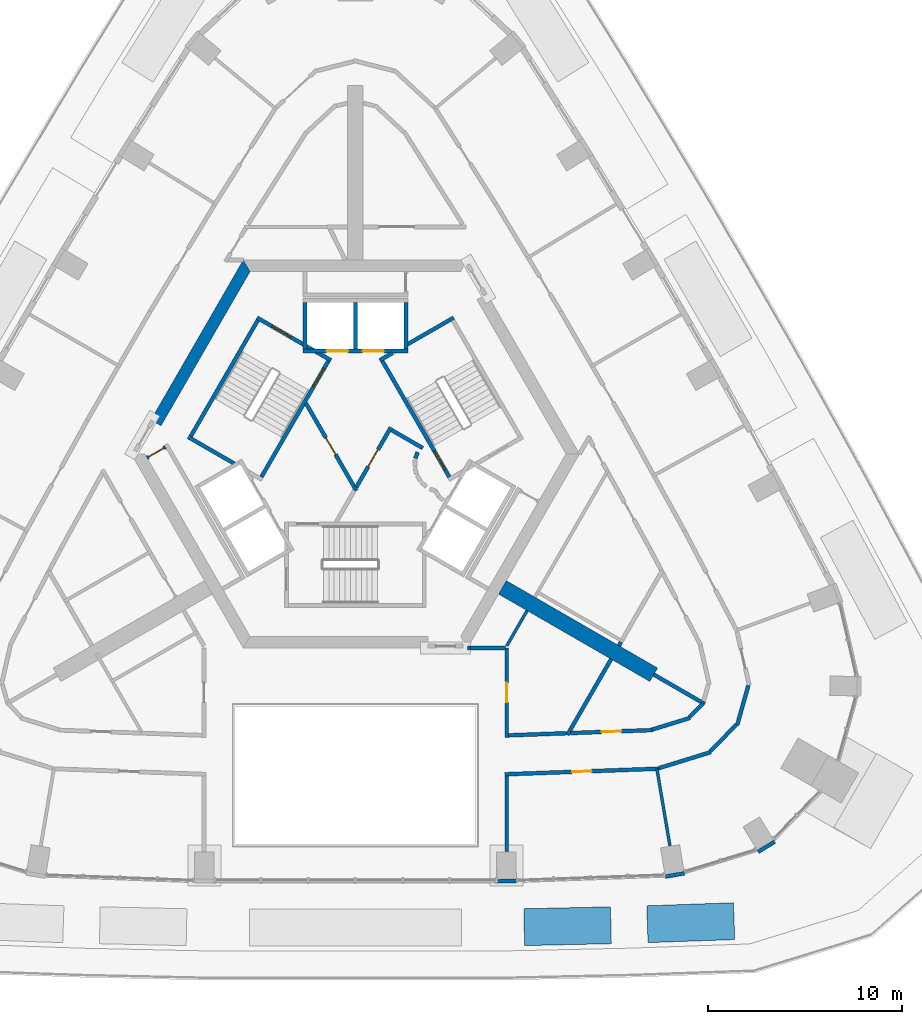
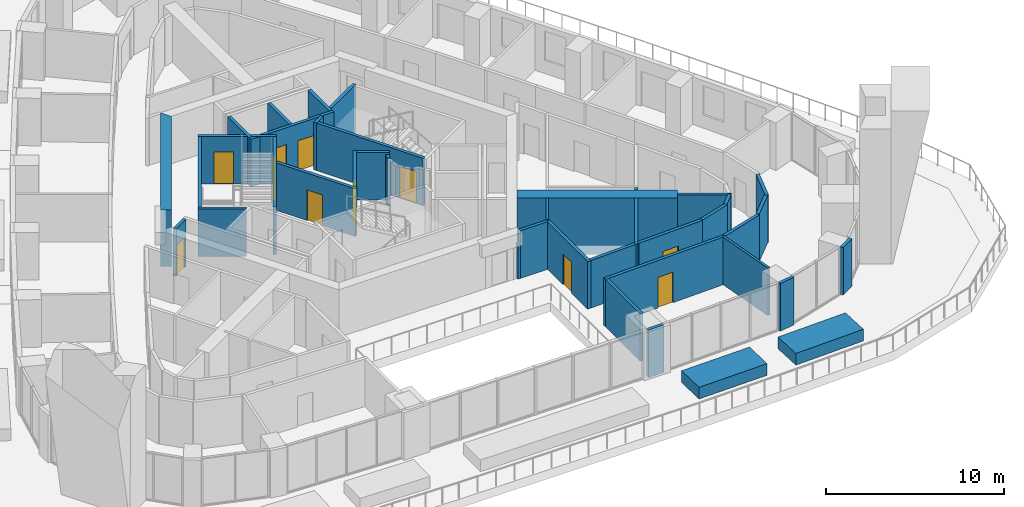
# One storey, part 7 of 14: 40 walls, 11 doors, 11 openings.
"""IFC4 building model written with IfcOpenShell, lengths in metres."""

from ifc_helpers import new_model, si_unit, direction, frame, frame_2d, origin, place, context, subcontext, project, spatial, polyline, rectangle, outline, extrude, material, layer, layer_set, type_object, element, fill, save


model = new_model("IFC4")

# Units and contexts
model_context = context("Model", 3, precision=1e-05, world=origin(), true_north=direction((0.0, 1.0)))
body_context = subcontext(model_context, "Body", "Model", "MODEL_VIEW")
ifc_project = project(units=[si_unit("LENGTHUNIT", "METRE"), si_unit("AREAUNIT", "SQUARE_METRE"), si_unit("VOLUMEUNIT", "CUBIC_METRE"), si_unit("PLANEANGLEUNIT", "RADIAN"), si_unit("MASSUNIT", "GRAM", prefix="KILO")], contexts=[model_context])

# Site, building, storey
site_placement = place(None, origin())
site = spatial("IfcSite", under=ifc_project, at=site_placement, CompositionType="ELEMENT")
building_placement = place(site_placement, origin())
building = spatial("IfcBuilding", under=site, at=building_placement, Name="Entoto Arch Interchange Tower", CompositionType="ELEMENT")
storey_placement = place(building_placement, frame((0.0, 0.0, 241.39990234375)))
storey = spatial("IfcBuildingStorey", under=building, at=storey_placement, Name="L54", CompositionType="ELEMENT", Elevation=241.39990234375)

# Walls
ifc_material_1 = material(Name="Concrete C40/50", Category="concrete")
ifc_layer_1 = layer(ifc_material_1, 0.800048828125)
ifc_layer_set_1 = layer_set([ifc_layer_1], Name="Concrete C40/50")
wall_type_1 = type_object("IfcWallType", Name="Buttress wall 800 C40/50", PredefinedType="SHEAR", material=ifc_layer_set_1)
wall_1_placement = place(storey_placement, frame((7.577880859375, -4.375, -0.599853515625), z_axis=(0.0, 0.0, 1.0), x_axis=(0.866024315419, -0.5000018851, 0.0)))
element("IfcWall", 1, at=wall_1_placement, inside=storey, type_object=wall_type_1, Name="Buttress wall SE L54", PredefinedType="SHEAR", context=body_context, shape_type="SweptSolid", body=[
    extrude(rectangle(XDim=9.0, YDim=0.800048828125, at=frame_2d((4.5, 0.0))), origin(), (0.0, 0.0, 1.0), 3.85986328125),
])
ifc_layer_2 = layer(ifc_material_1, 0.60009765625)
ifc_layer_set_2 = layer_set([ifc_layer_2], Name="Concrete C40/50")
wall_type_2 = type_object("IfcWallType", Name="Core wall 600 C40/50", PredefinedType="SHEAR", material=ifc_layer_set_2)
wall_2_placement = place(storey_placement, frame((0.0, 0.0, -0.599853515625)))
element("IfcWall", 2, at=wall_2_placement, inside=storey, type_object=wall_type_2, Name="Core wall NW L54", PredefinedType="SHEAR", context=body_context, shape_type="SweptSolid", body=[
    extrude(outline(polyline([(-10.534912109375, 4.2529296875), (-10.014892578125, 3.952880859375), (-5.427001953125, 11.89990234375), (-5.77392578125, 12.5), (-10.534912109375, 4.2529296875)])), origin(), (0.0, 0.0, 1.0), 3.85986328125),
])

# Wall, openings, doors
ifc_layer_3 = layer(ifc_material_1, 0.199951171875)
ifc_layer_set_3 = layer_set([ifc_layer_3], Name="Concrete C40/50")
wall_type_3 = type_object("IfcWallType", Name="LIFT SHAFT WALL 200", PredefinedType="STANDARD", material=ifc_layer_set_3)
wall_3_placement = place(storey_placement, frame((2.699951171875, 7.800048828125, 0.0), z_axis=(0.0, 0.0, 1.0), x_axis=(-1.0, 0.0, 0.0)))
wall_3 = element("IfcWall", 3, at=wall_3_placement, inside=storey, type_object=wall_type_3, Name="Shaft wall N1 front", PredefinedType="STANDARD", context=body_context, shape_type="SweptSolid", body=[
    extrude(rectangle(XDim=5.39990234375, YDim=0.199951171875, at=frame_2d((2.699951171875, 0.0))), origin(), (0.0, 0.0, 1.0), 3.260009765625),
])
opening_1_placement = place(wall_3_placement, frame((1.22509765625, 0.0, 0.0)))
opening_1 = element("IfcOpeningElement", 4, at=opening_1_placement, cuts=wall_3, Name="Opening LD-HR1-L54", PredefinedType="OPENING", context=body_context, shape_type="SweptSolid", body=[
    extrude(rectangle(XDim=1.10009765625, YDim=2.10009765625, at=frame_2d((0.550048828125, 1.050048828125))), frame((0.0, 0.10986328125, 0.0), z_axis=(0.0, -1.0, 0.0), x_axis=(1.0, 0.0, 0.0)), (0.0, 0.0, 1.0), 0.219970703125),
])
opening_2_placement = place(wall_3_placement, frame((3.074951171875, 0.0, 0.0)))
opening_2 = element("IfcOpeningElement", 5, at=opening_2_placement, cuts=wall_3, Name="Opening LD-HR2-L54", PredefinedType="OPENING", context=body_context, shape_type="SweptSolid", body=[
    extrude(rectangle(XDim=1.10009765625, YDim=2.10009765625, at=frame_2d((0.550048828125, 1.050048828125))), frame((0.0, 0.10986328125, 0.0), z_axis=(0.0, -1.0, 0.0), x_axis=(1.0, 0.0, 0.0)), (0.0, 0.0, 1.0), 0.219970703125),
])
ifc_material_2 = material(Name="Stainless steel 1.4301 panels", Category="steel")
door_type_1 = type_object("IfcDoorType", Name="LIFT LANDING DOOR LD1 1100x2100", OperationType="SLIDING_TO_LEFT", PredefinedType="DOOR", material=ifc_material_2)
door_1_placement = place(opening_1_placement, origin())
door_1 = element("IfcDoor", 6, at=door_1_placement, inside=storey, type_object=door_type_1, Name="Lift landing door HR1 L54", OperationType="SLIDING_TO_LEFT", OverallHeight=2.10009765625, OverallWidth=1.10009765625, PredefinedType="DOOR", context=body_context, shape_type="SweptSolid", body=[
    extrude(rectangle(XDim=1.10009765625, YDim=2.10009765625, at=frame_2d((0.550048828125, 1.050048828125))), frame((0.0, 0.02490234375, 0.0), z_axis=(0.0, -1.0, 0.0), x_axis=(1.0, 0.0, 0.0)), (0.0, 0.0, 1.0), 0.050048828125),
])
fill(opening_1, door_1)
door_2_placement = place(opening_2_placement, origin())
door_2 = element("IfcDoor", 7, at=door_2_placement, inside=storey, type_object=door_type_1, Name="Lift landing door HR2 L54", OperationType="SLIDING_TO_LEFT", OverallHeight=2.10009765625, OverallWidth=1.10009765625, PredefinedType="DOOR", context=body_context, shape_type="SweptSolid", body=[
    extrude(rectangle(XDim=1.10009765625, YDim=2.10009765625, at=frame_2d((0.550048828125, 1.050048828125))), frame((0.0, 0.02490234375, 0.0), z_axis=(0.0, -1.0, 0.0), x_axis=(1.0, 0.0, 0.0)), (0.0, 0.0, 1.0), 0.050048828125),
])
fill(opening_2, door_2)

# Walls
for number, where, z_axis, x_axis, name in (
    (8, (2.60009765625, 7.89990234375, 0.0), (0.0, 0.0, 1.0), (0.0, 1.0, 0.0), "Shaft wall N1 cross 1"),
    (9, (0.0, 7.89990234375, 0.0), (0.0, 0.0, 1.0), (0.0, 1.0, 0.0), "Shaft wall N1 cross 2"),
    (10, (-2.60009765625, 7.89990234375, 0.0), (0.0, 0.0, 1.0), (0.0, 1.0, 0.0), "Shaft wall N1 cross 3"),
):
    element("IfcWall", number, at=place(storey_placement, frame(where, z_axis=z_axis, x_axis=x_axis)), inside=storey, type_object=wall_type_3, Name=name, PredefinedType="STANDARD", context=body_context, shape_type="SweptSolid", body=[
        extrude(rectangle(XDim=2.400146484375, YDim=0.199951171875, at=frame_2d((1.2001953125, 0.0))), origin(), (0.0, 0.0, 1.0), 3.260009765625),
    ])
ifc_material_3 = material(Name="Gypsum board partition on steel studs", Category="steel")
ifc_layer_4 = layer(ifc_material_3, 0.14990234375)
ifc_layer_set_4 = layer_set([ifc_layer_4], Name="Gypsum board partition on steel studs")
wall_type_4 = type_object("IfcWallType", Name="PARTITION 150", PredefinedType="PARTITIONING", material=ifc_layer_set_4)
wall_4_placement = place(storey_placement, frame((7.800048828125, -7.389892578125, 0.0), z_axis=(0.0, 0.0, 1.0), x_axis=(0.499977374825, 0.866038466041, 0.0)))
element("IfcWall", 11, at=wall_4_placement, inside=storey, type_object=wall_type_4, Name="wall:L54:p073", PredefinedType="PARTITIONING", context=body_context, shape_type="SweptSolid", body=[
    extrude(rectangle(XDim=2.10009765625, YDim=0.14990234375, at=frame_2d((1.050048828125, 0.0))), origin(), (0.0, 0.0, 1.0), 3.260009765625),
])
wall_5_placement = place(storey_placement, frame((15.537109375, -13.721923828125, 0.0), z_axis=(0.0, 0.0, 1.0), x_axis=(0.167012380144, -0.985954798598, 0.0)))
element("IfcWall", 12, at=wall_5_placement, inside=storey, type_object=wall_type_4, Name="wall:L54:p103", PredefinedType="PARTITIONING", context=body_context, shape_type="SweptSolid", body=[
    extrude(rectangle(XDim=4.02880859375, YDim=0.14990234375, at=frame_2d((2.014404296875, 0.0))), origin(), (0.0, 0.0, 1.0), 3.260009765625),
])
ifc_layer_5 = layer(ifc_material_3, 0.199951171875)
ifc_layer_set_5 = layer_set([ifc_layer_5], Name="Gypsum board partition on steel studs")
wall_type_5 = type_object("IfcWallType", Name="PARTITION 200", PredefinedType="PARTITIONING", material=ifc_layer_set_5)
wall_6_placement = place(storey_placement, frame((7.89990234375, -11.9990234375, 0.0), z_axis=(0.0, 0.0, 1.0), x_axis=(0.999343711998, 0.036223546064, 0.0)))
element("IfcWall", 13, at=wall_6_placement, inside=storey, type_object=wall_type_5, Name="wall:L54:p013", PredefinedType="PARTITIONING", context=body_context, shape_type="SweptSolid", body=[
    extrude(rectangle(XDim=2.97900390625, YDim=0.199951171875, at=frame_2d((1.489501953125, 0.0))), origin(), (0.0, 0.0, 1.0), 3.260009765625),
])

# Wall, opening, door
wall_7_placement = place(storey_placement, frame((11.076904296875, -11.883056640625, 0.0), z_axis=(0.0, 0.0, 1.0), x_axis=(0.999335333519, 0.036453959732, 0.0)))
wall_7 = element("IfcWall", 14, at=wall_7_placement, inside=storey, type_object=wall_type_5, Name="wall:L54:p016", PredefinedType="PARTITIONING", context=body_context, shape_type="SweptSolid", body=[
    extrude(rectangle(XDim=4.22607421875, YDim=0.199951171875, at=frame_2d((2.113037109375, 0.0))), origin(), (0.0, 0.0, 1.0), 3.260009765625),
])
opening_3_placement = place(wall_7_placement, frame((1.613037109375, 0.0, 0.0)))
opening_3 = element("IfcOpeningElement", 15, at=opening_3_placement, cuts=wall_7, Name="Opening L54-D16", PredefinedType="OPENING", context=body_context, shape_type="SweptSolid", body=[
    extrude(rectangle(XDim=1.0, YDim=2.10009765625, at=frame_2d((0.5, 1.050048828125))), frame((0.0, 0.10986328125, 0.0), z_axis=(0.0, -1.0, 0.0), x_axis=(1.0, 0.0, 0.0)), (0.0, 0.0, 1.0), 0.219970703125),
])
ifc_material_4 = material(Name="Timber door leaf in Steel S235 frame", Category="steel")
door_type_2 = type_object("IfcDoorType", Name="DOOR DS-10 1000x2100", OperationType="SINGLE_SWING_LEFT", PredefinedType="DOOR", material=ifc_material_4)
door_3_placement = place(opening_3_placement, origin())
door_3 = element("IfcDoor", 16, at=door_3_placement, inside=storey, type_object=door_type_2, Name="door:L54:16", OperationType="SINGLE_SWING_LEFT", OverallHeight=2.10009765625, OverallWidth=1.0, PredefinedType="DOOR", context=body_context, shape_type="SweptSolid", body=[
    extrude(rectangle(XDim=1.0, YDim=2.10009765625, at=frame_2d((0.5, 1.050048828125))), frame((0.0, 0.02490234375, 0.0), z_axis=(0.0, -1.0, 0.0), x_axis=(1.0, 0.0, 0.0)), (0.0, 0.0, 1.0), 0.050048828125),
])
fill(opening_3, door_3)

# Walls
wall_8_placement = place(storey_placement, frame((15.294921875, -11.702880859375, 0.0), z_axis=(0.0, 0.0, 1.0), x_axis=(0.95563113363, 0.294566013716, 0.0)))
element("IfcWall", 17, at=wall_8_placement, inside=storey, type_object=wall_type_5, Name="wall:L54:p017", PredefinedType="PARTITIONING", context=body_context, shape_type="SweptSolid", body=[
    extrude(rectangle(XDim=2.036376953125, YDim=0.199951171875, at=frame_2d((1.01806640625, 0.0))), origin(), (0.0, 0.0, 1.0), 3.260009765625),
])
wall_9_placement = place(storey_placement, frame((17.215087890625, -11.06103515625, 0.0), z_axis=(0.0, 0.0, 1.0), x_axis=(0.698527813511, 0.715582904877, 0.0)))
element("IfcWall", 18, at=wall_9_placement, inside=storey, type_object=wall_type_5, Name="wall:L54:p018", PredefinedType="PARTITIONING", context=body_context, shape_type="SweptSolid", body=[
    extrude(rectangle(XDim=1.001953125, YDim=0.199951171875, at=frame_2d((0.5009765625, 0.0))), origin(), (0.0, 0.0, 1.0), 3.260009765625),
])

# Wall, opening, door
wall_10_placement = place(storey_placement, frame((15.635986328125, -13.718017578125, 0.0), z_axis=(0.0, 0.0, 1.0), x_axis=(-0.99933282306, -0.036522715615, 0.0)))
wall_10 = element("IfcWall", 19, at=wall_10_placement, inside=storey, type_object=wall_type_5, Name="wall:L54:p034", PredefinedType="PARTITIONING", context=body_context, shape_type="SweptSolid", body=[
    extrude(rectangle(XDim=7.94140625, YDim=0.199951171875, at=frame_2d((3.970703125, 0.0))), origin(), (0.0, 0.0, 1.0), 3.260009765625),
])
opening_4_placement = place(wall_10_placement, frame((3.470947265625, 0.0, 0.0)))
opening_4 = element("IfcOpeningElement", 20, at=opening_4_placement, cuts=wall_10, Name="Opening L54-D01", PredefinedType="OPENING", context=body_context, shape_type="SweptSolid", body=[
    extrude(rectangle(XDim=1.0, YDim=2.10009765625, at=frame_2d((0.5, 1.050048828125))), frame((0.0, 0.10986328125, 0.0), z_axis=(0.0, -1.0, 0.0), x_axis=(1.0, 0.0, 0.0)), (0.0, 0.0, 1.0), 0.219970703125),
])
door_4_placement = place(opening_4_placement, origin())
door_4 = element("IfcDoor", 21, at=door_4_placement, inside=storey, type_object=door_type_2, Name="door:L54:01", OperationType="SINGLE_SWING_RIGHT", OverallHeight=2.10009765625, OverallWidth=1.0, PredefinedType="DOOR", context=body_context, shape_type="SweptSolid", body=[
    extrude(rectangle(XDim=1.0, YDim=2.10009765625, at=frame_2d((0.5, 1.050048828125))), frame((0.0, 0.02490234375, 0.0), z_axis=(0.0, -1.0, 0.0), x_axis=(1.0, 0.0, 0.0)), (0.0, 0.0, 1.0), 0.050048828125),
])
fill(opening_4, door_4)

# Walls
wall_11_placement = place(storey_placement, frame((20.25, -9.428955078125, 0.0), z_axis=(0.0, 0.0, 1.0), x_axis=(-0.270905475888, -0.962605954238, 0.0)))
element("IfcWall", 22, at=wall_11_placement, inside=storey, type_object=wall_type_5, Name="wall:L54:p036", PredefinedType="PARTITIONING", context=body_context, shape_type="SweptSolid", body=[
    extrude(rectangle(XDim=2.122314453125, YDim=0.199951171875, at=frame_2d((1.06103515625, 0.0))), origin(), (0.0, 0.0, 1.0), 3.260009765625),
])
wall_12_placement = place(storey_placement, frame((19.633056640625, -11.447021484375, 0.0), z_axis=(0.0, 0.0, 1.0), x_axis=(-0.698477855606, -0.715631668687, 0.0)))
element("IfcWall", 23, at=wall_12_placement, inside=storey, type_object=wall_type_5, Name="wall:L54:p037", PredefinedType="PARTITIONING", context=body_context, shape_type="SweptSolid", body=[
    extrude(rectangle(XDim=1.92138671875, YDim=0.199951171875, at=frame_2d((0.960693359375, 0.0))), origin(), (0.0, 0.0, 1.0), 3.260009765625),
])
wall_13_placement = place(storey_placement, frame((18.31689453125, -12.864013671875, 0.0), z_axis=(0.0, 0.0, 1.0), x_axis=(-0.955600342663, -0.294665887239, 0.0)))
element("IfcWall", 24, at=wall_13_placement, inside=storey, type_object=wall_type_5, Name="wall:L54:p038", PredefinedType="PARTITIONING", context=body_context, shape_type="SweptSolid", body=[
    extrude(rectangle(XDim=2.8095703125, YDim=0.199951171875, at=frame_2d((1.40478515625, 0.0))), origin(), (0.0, 0.0, 1.0), 3.260009765625),
])

# Wall, opening, door
wall_14_placement = place(storey_placement, frame((-10.740966796875, 2.302978515625, 0.0), z_axis=(0.0, 0.0, 1.0), x_axis=(0.866063652425, 0.499933745558, 0.0)))
wall_14 = element("IfcWall", 25, at=wall_14_placement, inside=storey, type_object=wall_type_5, Name="wall:L54:p069", PredefinedType="PARTITIONING", context=body_context, shape_type="SweptSolid", body=[
    extrude(rectangle(XDim=1.100341796875, YDim=0.199951171875, at=frame_2d((0.55029296875, 0.0))), origin(), (0.0, 0.0, 1.0), 3.260009765625),
])
opening_5_placement = place(wall_14_placement, frame((0.10009765625, 0.0, 0.0)))
opening_5 = element("IfcOpeningElement", 26, at=opening_5_placement, cuts=wall_14, Name="Opening L54-D30", PredefinedType="OPENING", context=body_context, shape_type="SweptSolid", body=[
    extrude(rectangle(XDim=0.89990234375, YDim=2.10009765625, at=frame_2d((0.449951171875, 1.050048828125))), frame((0.0, 0.10986328125, 0.0), z_axis=(0.0, -1.0, 0.0), x_axis=(1.0, 0.0, 0.0)), (0.0, 0.0, 1.0), 0.219970703125),
])
door_type_3 = type_object("IfcDoorType", Name="DOOR DS-09 900x2100", OperationType="SINGLE_SWING_LEFT", PredefinedType="DOOR", material=ifc_material_4)
door_5_placement = place(opening_5_placement, origin())
door_5 = element("IfcDoor", 27, at=door_5_placement, inside=storey, type_object=door_type_3, Name="door:L54:30", OperationType="SINGLE_SWING_RIGHT", OverallHeight=2.10009765625, OverallWidth=0.89990234375, PredefinedType="DOOR", context=body_context, shape_type="SweptSolid", body=[
    extrude(rectangle(XDim=0.89990234375, YDim=2.10009765625, at=frame_2d((0.449951171875, 1.050048828125))), frame((0.0, 0.02490234375, 0.0), z_axis=(0.0, -1.0, 0.0), x_axis=(1.0, 0.0, 0.0)), (0.0, 0.0, 1.0), 0.050048828125),
])
fill(opening_5, door_5)

# Wall
wall_15_placement = place(storey_placement, frame((5.77490234375, -7.4990234375, 0.0), z_axis=(0.0, 0.0, 1.0), x_axis=(1.0, 0.0, 0.0)))
element("IfcWall", 28, at=wall_15_placement, inside=storey, type_object=wall_type_5, Name="wall:L54:p072", PredefinedType="PARTITIONING", context=body_context, shape_type="SweptSolid", body=[
    extrude(rectangle(XDim=0.169189453125, YDim=0.199951171875, at=frame_2d((0.08447265625, 0.0))), origin(), (0.0, 0.0, 1.0), 2.400146484375),
])

# Wall, opening, door
wall_16_placement = place(storey_placement, frame((0.050048828125, 0.787109375, 0.0), z_axis=(0.0, 0.0, 1.0), x_axis=(0.499954076797, 0.866051915934, 0.0)))
wall_16 = element("IfcWall", 29, at=wall_16_placement, inside=storey, type_object=wall_type_5, Name="wall:L54:p076", PredefinedType="PARTITIONING", context=body_context, shape_type="SweptSolid", body=[
    extrude(rectangle(XDim=3.558349609375, YDim=0.199951171875, at=frame_2d((1.779296875, 0.0))), origin(), (0.0, 0.0, 1.0), 3.260009765625),
])
opening_6_placement = place(wall_16_placement, frame((1.22900390625, 0.0, 0.0)))
opening_6 = element("IfcOpeningElement", 30, at=opening_6_placement, cuts=wall_16, Name="Opening L54-D26", PredefinedType="OPENING", context=body_context, shape_type="SweptSolid", body=[
    extrude(rectangle(XDim=1.0, YDim=2.10009765625, at=frame_2d((0.5, 1.050048828125))), frame((0.0, 0.10986328125, 0.0), z_axis=(0.0, -1.0, 0.0), x_axis=(1.0, 0.0, 0.0)), (0.0, 0.0, 1.0), 0.219970703125),
])
ifc_material_5 = material(Name="Fire-rated Steel S235 door and frame", Category="steel")
door_type_4 = type_object("IfcDoorType", Name="DOOR FD-10 1000x2100", OperationType="SINGLE_SWING_LEFT", PredefinedType="DOOR", material=ifc_material_5)
door_6_placement = place(opening_6_placement, origin())
door_6 = element("IfcDoor", 31, at=door_6_placement, inside=storey, type_object=door_type_4, Name="door:L54:26", OperationType="SINGLE_SWING_RIGHT", OverallHeight=2.10009765625, OverallWidth=1.0, PredefinedType="DOOR", context=body_context, shape_type="SweptSolid", body=[
    extrude(rectangle(XDim=1.0, YDim=2.10009765625, at=frame_2d((0.5, 1.050048828125))), frame((0.0, 0.02490234375, 0.0), z_axis=(0.0, -1.0, 0.0), x_axis=(1.0, 0.0, 0.0)), (0.0, 0.0, 1.0), 0.050048828125),
])
fill(opening_6, door_6)

# Walls
wall_17_placement = place(storey_placement, frame((1.865966796875, 3.73193359375, 0.0), z_axis=(0.0, 0.0, 1.0), x_axis=(0.866043361281, -0.499968895414, 0.0)))
element("IfcWall", 32, at=wall_17_placement, inside=storey, type_object=wall_type_5, Name="wall:L54:p077", PredefinedType="PARTITIONING", context=body_context, shape_type="SweptSolid", body=[
    extrude(rectangle(XDim=1.85791015625, YDim=0.199951171875, at=frame_2d((0.928955078125, 0.0))), origin(), (0.0, 0.0, 1.0), 3.260009765625),
])
wall_18_placement = place(storey_placement, frame((3.2080078125, 2.592041015625, 0.0), z_axis=(0.0, 0.0, 1.0), x_axis=(-0.337388820924, -0.941365382578, 0.0)))
element("IfcWall", 33, at=wall_18_placement, inside=storey, type_object=wall_type_5, Name="wall:L54:p078", PredefinedType="PARTITIONING", context=body_context, shape_type="SweptSolid", body=[
    extrude(rectangle(XDim=0.337890625, YDim=0.199951171875, at=frame_2d((0.1689453125, 0.0))), origin(), (0.0, 0.0, 1.0), 3.260009765625),
])

# Wall, opening, door
wall_19_placement = place(storey_placement, frame((-2.5400390625, 5.10009765625, 0.0), z_axis=(0.0, 0.0, 1.0), x_axis=(0.499925051871, -0.866068670783, 0.0)))
wall_19 = element("IfcWall", 34, at=wall_19_placement, inside=storey, type_object=wall_type_5, Name="wall:L54:p086", PredefinedType="PARTITIONING", context=body_context, shape_type="SweptSolid", body=[
    extrude(rectangle(XDim=5.180908203125, YDim=0.199951171875, at=frame_2d((2.59033203125, 0.0))), origin(), (0.0, 0.0, 1.0), 3.260009765625),
])
opening_7_placement = place(wall_19_placement, frame((2.0400390625, 0.0, 0.0)))
opening_7 = element("IfcOpeningElement", 35, at=opening_7_placement, cuts=wall_19, Name="Opening L54-D27", PredefinedType="OPENING", context=body_context, shape_type="SweptSolid", body=[
    extrude(rectangle(XDim=1.0, YDim=2.10009765625, at=frame_2d((0.5, 1.050048828125))), frame((0.0, 0.10986328125, 0.0), z_axis=(0.0, -1.0, 0.0), x_axis=(1.0, 0.0, 0.0)), (0.0, 0.0, 1.0), 0.219970703125),
])
door_7_placement = place(opening_7_placement, origin())
door_7 = element("IfcDoor", 36, at=door_7_placement, inside=storey, type_object=door_type_4, Name="door:L54:27", OperationType="SINGLE_SWING_RIGHT", OverallHeight=2.10009765625, OverallWidth=1.0, PredefinedType="DOOR", context=body_context, shape_type="SweptSolid", body=[
    extrude(rectangle(XDim=1.0, YDim=2.10009765625, at=frame_2d((0.5, 1.050048828125))), frame((0.0, 0.02490234375, 0.0), z_axis=(0.0, -1.0, 0.0), x_axis=(1.0, 0.0, 0.0)), (0.0, 0.0, 1.0), 0.050048828125),
])
fill(opening_7, door_7)

wall_20_placement = place(storey_placement, frame((7.800048828125, -7.4990234375, 0.0), z_axis=(0.0, 0.0, 1.0), x_axis=(0.0, -1.0, 0.0)))
wall_20 = element("IfcWall", 37, at=wall_20_placement, inside=storey, type_object=wall_type_5, Name="wall:L54:p087", PredefinedType="PARTITIONING", context=body_context, shape_type="SweptSolid", body=[
    extrude(rectangle(XDim=4.60400390625, YDim=0.199951171875, at=frame_2d((2.302001953125, 0.0))), origin(), (0.0, 0.0, 1.0), 3.260009765625),
])
opening_8_placement = place(wall_20_placement, frame((1.802001953125, 0.0, 0.0)))
opening_8 = element("IfcOpeningElement", 38, at=opening_8_placement, cuts=wall_20, Name="Opening L54-D14", PredefinedType="OPENING", context=body_context, shape_type="SweptSolid", body=[
    extrude(rectangle(XDim=1.0, YDim=2.10009765625, at=frame_2d((0.5, 1.050048828125))), frame((0.0, 0.10986328125, 0.0), z_axis=(0.0, -1.0, 0.0), x_axis=(1.0, 0.0, 0.0)), (0.0, 0.0, 1.0), 0.219970703125),
])
door_8_placement = place(opening_8_placement, origin())
door_8 = element("IfcDoor", 39, at=door_8_placement, inside=storey, type_object=door_type_2, Name="door:L54:14", OperationType="SINGLE_SWING_LEFT", OverallHeight=2.10009765625, OverallWidth=1.0, PredefinedType="DOOR", context=body_context, shape_type="SweptSolid", body=[
    extrude(rectangle(XDim=1.0, YDim=2.10009765625, at=frame_2d((0.5, 1.050048828125))), frame((0.0, 0.02490234375, 0.0), z_axis=(0.0, -1.0, 0.0), x_axis=(1.0, 0.0, 0.0)), (0.0, 0.0, 1.0), 0.050048828125),
])
fill(opening_8, door_8)

# Walls
wall_21_placement = place(storey_placement, frame((7.800048828125, -14.10400390625, 0.0), z_axis=(0.0, 0.0, 1.0), x_axis=(0.0, -1.0, 0.0)))
element("IfcWall", 40, at=wall_21_placement, inside=storey, type_object=wall_type_5, Name="wall:L54:p089", PredefinedType="PARTITIONING", context=body_context, shape_type="SweptSolid", body=[
    extrude(rectangle(XDim=3.884033203125, YDim=0.199951171875, at=frame_2d((1.94189453125, 0.0))), origin(), (0.0, 0.0, 1.0), 3.260009765625),
])
wall_22_placement = place(storey_placement, frame((13.179931640625, -8.071044921875, 0.0), z_axis=(0.0, 0.0, 1.0), x_axis=(-0.499914724673, -0.86607463192, 0.0)))
element("IfcWall", 41, at=wall_22_placement, inside=storey, type_object=wall_type_5, Name="wall:L54:p092", PredefinedType="PARTITIONING", context=body_context, shape_type="SweptSolid", body=[
    extrude(rectangle(XDim=4.506591796875, YDim=0.199951171875, at=frame_2d((2.25341796875, 0.0))), origin(), (0.0, 0.0, 1.0), 3.260009765625),
])
wall_23_placement = place(storey_placement, frame((13.68798828125, -7.19189453125, 0.0), z_axis=(0.0, 0.0, 1.0), x_axis=(-0.499787711288, -0.866147934042, 0.0)))
element("IfcWall", 42, at=wall_23_placement, inside=storey, type_object=wall_type_5, Name="wall:L54:p093", PredefinedType="PARTITIONING", context=body_context, shape_type="SweptSolid", body=[
    extrude(rectangle(XDim=0.2158203125, YDim=0.199951171875, at=frame_2d((0.10791015625, 0.0))), origin(), (0.0, 0.0, 1.0), 3.260009765625),
])
wall_24_placement = place(storey_placement, frame((15.376953125, -8.866943359375, 0.0), z_axis=(0.0, 0.0, 1.0), x_axis=(0.865965767548, -0.500103278768, 0.0)))
element("IfcWall", 43, at=wall_24_placement, inside=storey, type_object=wall_type_5, Name="wall:L54:p095", PredefinedType="PARTITIONING", context=body_context, shape_type="SweptSolid", body=[
    extrude(rectangle(XDim=3.033447265625, YDim=0.199951171875, at=frame_2d((1.5166015625, 0.0))), origin(), (0.0, 0.0, 1.0), 3.260009765625),
])
wall_25_placement = place(storey_placement, frame((5.944091796875, -7.4990234375, 0.0), z_axis=(0.0, 0.0, 1.0), x_axis=(1.0, 0.0, 0.0)))
element("IfcWall", 44, at=wall_25_placement, inside=storey, type_object=wall_type_5, Name="wall:L54:p072", PredefinedType="PARTITIONING", context=body_context, shape_type="SweptSolid", body=[
    extrude(rectangle(XDim=1.79296875, YDim=0.199951171875, at=frame_2d((0.896484375, 0.0))), origin(), (0.0, 0.0, 1.0), 3.260009765625),
])
ifc_material_6 = material(Name="Board-marked precast concrete C50/60", Category="concrete")
ifc_layer_6 = layer(ifc_material_6, 1.89990234375)
ifc_layer_set_6 = layer_set([ifc_layer_6], Name="Board-marked precast concrete C50/60")
wall_type_6 = type_object("IfcWallType", Name="PLANTER RC 1900 Afrocarpus falcatus", PredefinedType="STANDARD", material=ifc_layer_set_6)
wall_26_placement = place(storey_placement, frame((15.048095703125, -21.73193359375, 0.0), z_axis=(0.0, 0.0, 1.0), x_axis=(0.999375658716, 0.035331186885, 0.0)))
element("IfcWall", 45, at=wall_26_placement, inside=storey, type_object=wall_type_6, Name="Terrace planter S-05 L54", PredefinedType="STANDARD", context=body_context, shape_type="SweptSolid", body=[
    extrude(rectangle(XDim=4.470703125, YDim=1.89990234375, at=frame_2d((2.2353515625, 0.0))), origin(), (0.0, 0.0, 1.0), 0.800048828125),
])
ifc_layer_7 = layer(ifc_material_6, 1.89990234375)
ifc_layer_set_7 = layer_set([ifc_layer_7], Name="Board-marked precast concrete C50/60")
wall_type_7 = type_object("IfcWallType", Name="PLANTER RC 1900 Juniperus procera", PredefinedType="STANDARD", material=ifc_layer_set_7)
wall_27_placement = place(storey_placement, frame((8.697998046875, -21.885009765625, 0.0), z_axis=(0.0, 0.0, 1.0), x_axis=(0.999754120452, 0.022174278771, 0.0)))
element("IfcWall", 46, at=wall_27_placement, inside=storey, type_object=wall_type_7, Name="Terrace planter S-04 L54", PredefinedType="STANDARD", context=body_context, shape_type="SweptSolid", body=[
    extrude(rectangle(XDim=4.47021484375, YDim=1.89990234375, at=frame_2d((2.235107421875, 0.0))), origin(), (0.0, 0.0, 1.0), 0.800048828125),
])
ifc_layer_8 = layer(ifc_material_1, 0.199951171875)
ifc_layer_set_8 = layer_set([ifc_layer_8], Name="Concrete C40/50")
wall_type_8 = type_object("IfcWallType", Name="STAIR ENCLOSURE WALL 200", PredefinedType="STANDARD", material=ifc_layer_set_8)
wall_28_placement = place(storey_placement, frame((2.699951171875, 8.157958984375, 0.0), z_axis=(0.0, 0.0, 1.0), x_axis=(0.86611865017, 0.499838457731, 0.0)))
element("IfcWall", 47, at=wall_28_placement, inside=storey, type_object=wall_type_8, Name="Stair wall ST-NE far", PredefinedType="STANDARD", context=body_context, shape_type="SweptSolid", body=[
    extrude(rectangle(XDim=2.73291015625, YDim=0.199951171875, at=frame_2d((1.366455078125, 0.0))), origin(), (0.0, 0.0, 1.0), 3.260009765625),
])
wall_29_placement = place(storey_placement, frame((1.256103515625, 7.323974609375, 0.0), z_axis=(0.0, 0.0, 1.0), x_axis=(0.865915093549, 0.500191014278, 0.0)))
element("IfcWall", 48, at=wall_29_placement, inside=storey, type_object=wall_type_8, Name="Stair wall ST-NE far return", PredefinedType="STANDARD", context=body_context, shape_type="SweptSolid", body=[
    extrude(rectangle(XDim=0.751708984375, YDim=0.199951171875, at=frame_2d((0.3759765625, 0.0))), origin(), (0.0, 0.0, 1.0), 3.260009765625),
])

# Wall, opening, door
wall_30_placement = place(storey_placement, frame((4.843017578125, 1.31201171875, 0.0), z_axis=(0.0, 0.0, 1.0), x_axis=(-0.499963383562, 0.866046543262, 0.0)))
wall_30 = element("IfcWall", 49, at=wall_30_placement, inside=storey, type_object=wall_type_8, Name="Stair wall ST-NE hall", PredefinedType="STANDARD", context=body_context, shape_type="SweptSolid", body=[
    extrude(rectangle(XDim=6.900390625, YDim=0.199951171875, at=frame_2d((3.4501953125, 0.0))), origin(), (0.0, 0.0, 1.0), 3.260009765625),
])
opening_9_placement = place(wall_30_placement, frame((0.449951171875, 0.0, 0.0)))
opening_9 = element("IfcOpeningElement", 50, at=opening_9_placement, cuts=wall_30, Name="Opening SD-ST-NE-L54", PredefinedType="OPENING", context=body_context, shape_type="SweptSolid", body=[
    extrude(rectangle(XDim=1.10009765625, YDim=2.199951171875, at=frame_2d((0.550048828125, 1.10009765625))), frame((0.0, 0.10986328125, 0.0), z_axis=(0.0, -1.0, 0.0), x_axis=(1.0, 0.0, 0.0)), (0.0, 0.0, 1.0), 0.219970703125),
])
ifc_material_7 = material(Name="Steel S235", Category="steel")
door_type_5 = type_object("IfcDoorType", Name="STAIR DOOR SD1 1100x2200", OperationType="SINGLE_SWING_LEFT", PredefinedType="DOOR", material=ifc_material_7)
door_9_placement = place(opening_9_placement, origin())
door_9 = element("IfcDoor", 51, at=door_9_placement, inside=storey, type_object=door_type_5, Name="Stair door ST-NE L54", OperationType="SINGLE_SWING_LEFT", OverallHeight=2.199951171875, OverallWidth=1.10009765625, PredefinedType="DOOR", context=body_context, shape_type="SweptSolid", body=[
    extrude(rectangle(XDim=1.10009765625, YDim=2.199951171875, at=frame_2d((0.550048828125, 1.10009765625))), frame((0.0, 0.02490234375, 0.0), z_axis=(0.0, -1.0, 0.0), x_axis=(1.0, 0.0, 0.0)), (0.0, 0.0, 1.0), 0.050048828125),
])
fill(opening_9, door_9)

wall_31_placement = place(storey_placement, frame((-1.256103515625, 7.323974609375, 0.0), z_axis=(0.0, 0.0, 1.0), x_axis=(-0.866046073146, 0.499964197906, 0.0)))
wall_31 = element("IfcWall", 52, at=wall_31_placement, inside=storey, type_object=wall_type_8, Name="Stair wall ST-NW near", PredefinedType="STANDARD", context=body_context, shape_type="SweptSolid", body=[
    extrude(rectangle(XDim=4.400146484375, YDim=0.199951171875, at=frame_2d((2.2001953125, 0.0))), origin(), (0.0, 0.0, 1.0), 3.260009765625),
])
opening_10_placement = place(wall_31_placement, frame((2.39990234375, 0.0, 0.0)))
opening_10 = element("IfcOpeningElement", 53, at=opening_10_placement, cuts=wall_31, Name="Opening SD-ST-NW-L54-E", PredefinedType="OPENING", context=body_context, shape_type="SweptSolid", body=[
    extrude(rectangle(XDim=1.10009765625, YDim=2.199951171875, at=frame_2d((0.550048828125, 1.10009765625))), frame((0.0, 0.10986328125, 0.0), z_axis=(0.0, -1.0, 0.0), x_axis=(1.0, 0.0, 0.0)), (0.0, 0.0, 1.0), 0.219970703125),
])
door_10_placement = place(opening_10_placement, origin())
door_10 = element("IfcDoor", 54, at=door_10_placement, inside=storey, type_object=door_type_5, Name="Stair door ST-NW L54 end", OperationType="SINGLE_SWING_LEFT", OverallHeight=2.199951171875, OverallWidth=1.10009765625, PredefinedType="DOOR", context=body_context, shape_type="SweptSolid", body=[
    extrude(rectangle(XDim=1.10009765625, YDim=2.199951171875, at=frame_2d((0.550048828125, 1.10009765625))), frame((0.0, 0.02490234375, 0.0), z_axis=(0.0, -1.0, 0.0), x_axis=(1.0, 0.0, 0.0)), (0.0, 0.0, 1.0), 0.050048828125),
])
fill(opening_10, door_10)

# Wall
wall_32_placement = place(storey_placement, frame((-6.25, 2.010009765625, 0.0), z_axis=(0.0, 0.0, 1.0), x_axis=(-0.86611865017, 0.499838457731, 0.0)))
element("IfcWall", 55, at=wall_32_placement, inside=storey, type_object=wall_type_8, Name="Stair wall ST-NW far", PredefinedType="STANDARD", context=body_context, shape_type="SweptSolid", body=[
    extrude(rectangle(XDim=2.73291015625, YDim=0.199951171875, at=frame_2d((1.366455078125, 0.0))), origin(), (0.0, 0.0, 1.0), 3.260009765625),
])

# Wall, opening, door
wall_33_placement = place(storey_placement, frame((-1.39306640625, 7.2880859375, 0.0), z_axis=(0.0, 0.0, 1.0), x_axis=(-0.499963383562, -0.866046543262, 0.0)))
wall_33 = element("IfcWall", 56, at=wall_33_placement, inside=storey, type_object=wall_type_8, Name="Stair wall ST-NW hall", PredefinedType="STANDARD", context=body_context, shape_type="SweptSolid", body=[
    extrude(rectangle(XDim=6.900390625, YDim=0.199951171875, at=frame_2d((3.4501953125, 0.0))), origin(), (0.0, 0.0, 1.0), 3.260009765625),
])
opening_11_placement = place(wall_33_placement, frame((0.449951171875, 0.0, 0.0)))
opening_11 = element("IfcOpeningElement", 57, at=opening_11_placement, cuts=wall_33, Name="Opening SD-ST-NW-L54", PredefinedType="OPENING", context=body_context, shape_type="SweptSolid", body=[
    extrude(rectangle(XDim=1.10009765625, YDim=2.199951171875, at=frame_2d((0.550048828125, 1.10009765625))), frame((0.0, 0.10986328125, 0.0), z_axis=(0.0, -1.0, 0.0), x_axis=(1.0, 0.0, 0.0)), (0.0, 0.0, 1.0), 0.219970703125),
])
door_11_placement = place(opening_11_placement, origin())
door_11 = element("IfcDoor", 58, at=door_11_placement, inside=storey, type_object=door_type_5, Name="Stair door ST-NW L54", OperationType="SINGLE_SWING_LEFT", OverallHeight=2.199951171875, OverallWidth=1.10009765625, PredefinedType="DOOR", context=body_context, shape_type="SweptSolid", body=[
    extrude(rectangle(XDim=1.10009765625, YDim=2.199951171875, at=frame_2d((0.550048828125, 1.10009765625))), frame((0.0, 0.02490234375, 0.0), z_axis=(0.0, -1.0, 0.0), x_axis=(1.0, 0.0, 0.0)), (0.0, 0.0, 1.0), 0.050048828125),
])
fill(opening_11, door_11)

# Walls
wall_34_placement = place(storey_placement, frame((-5.030029296875, 9.387939453125, 0.0), z_axis=(0.0, 0.0, 1.0), x_axis=(-0.499978703459, -0.866037698999, 0.0)))
element("IfcWall", 59, at=wall_34_placement, inside=storey, type_object=wall_type_8, Name="Stair wall ST-NW back", PredefinedType="STANDARD", context=body_context, shape_type="SweptSolid", body=[
    extrude(rectangle(XDim=6.900146484375, YDim=0.199951171875, at=frame_2d((3.4501953125, 0.0))), origin(), (0.0, 0.0, 1.0), 3.260009765625),
])
ifc_material_8 = material(Name="Welded tuff (ignimbrite) cladding, warm buff", Category="masonry")
ifc_layer_9 = layer(ifc_material_8, 0.199951171875)
ifc_layer_set_9 = layer_set([ifc_layer_9], Name="Welded tuff (ignimbrite) cladding, warm buff")
wall_type_9 = type_object("IfcWallType", Name="STONE PIER CLADDING 200", PredefinedType="STANDARD", material=ifc_layer_set_9)
for number, where, z_axis, x_axis, name in (
    (60, (7.298095703125, -19.51708984375, 0.0), (0.0, 0.0, 1.0), (0.999836842422, 0.018063458579, 0.0), "Stone pier S03 L54"),
    (61, (15.969970703125, -19.27587890625, 0.0), (0.0, 0.0, 1.0), (0.985961725342, 0.166971483074, 0.0), "Stone pier S04 L54"),
):
    element("IfcWall", number, at=place(storey_placement, frame(where, z_axis=z_axis, x_axis=x_axis)), inside=storey, type_object=wall_type_9, Name=name, PredefinedType="STANDARD", context=body_context, shape_type="SweptSolid", body=[
        extrude(rectangle(XDim=1.000244140625, YDim=0.199951171875, at=frame_2d((0.5, 0.0))), origin(), (0.0, 0.0, 1.0), 3.260009765625),
    ])
wall_35_placement = place(storey_placement, frame((20.7548828125, -18.0, 0.0), z_axis=(0.0, 0.0, 1.0), x_axis=(0.853679739553, 0.520798331677, 0.0)))
element("IfcWall", 62, at=wall_35_placement, inside=storey, type_object=wall_type_9, Name="Stone pier SE1 L54", PredefinedType="STANDARD", context=body_context, shape_type="SweptSolid", body=[
    extrude(rectangle(XDim=1.00048828125, YDim=0.199951171875, at=frame_2d((0.500244140625, 0.0))), origin(), (0.0, 0.0, 1.0), 3.260009765625),
])

save(model, "model.ifc")
